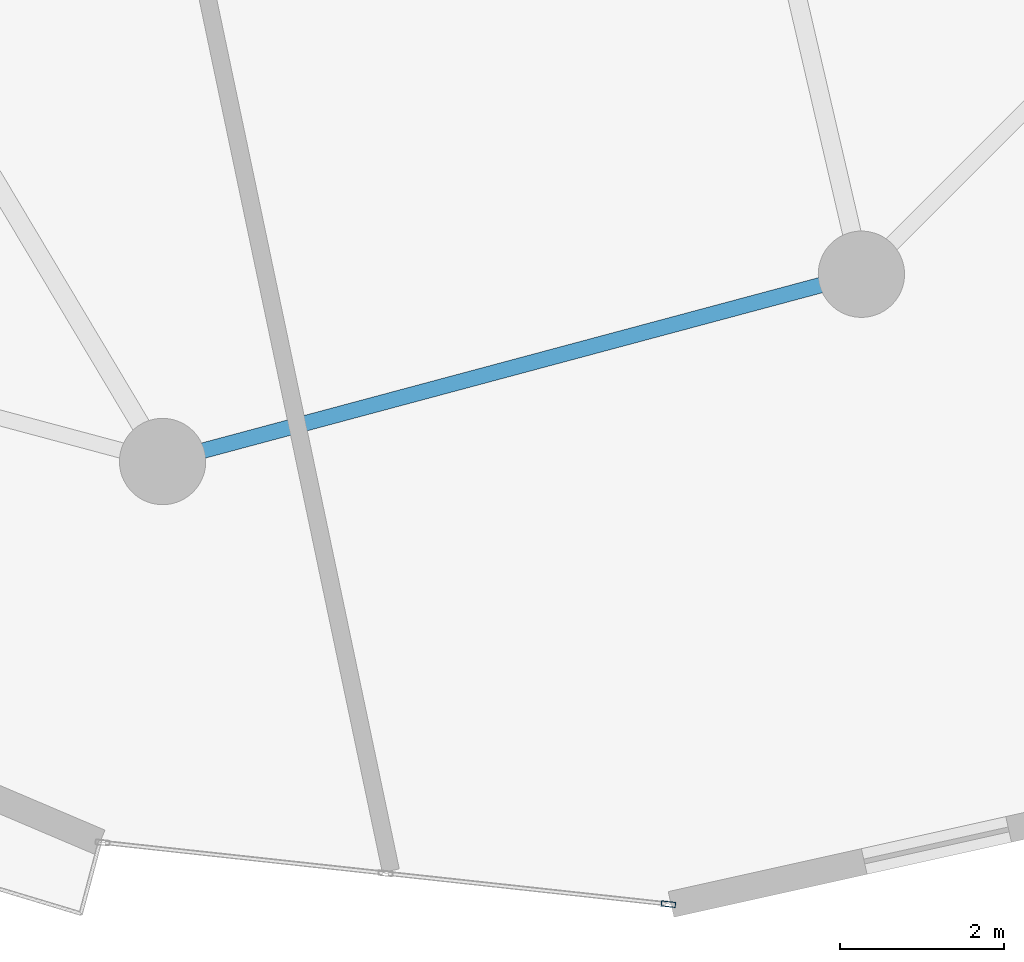
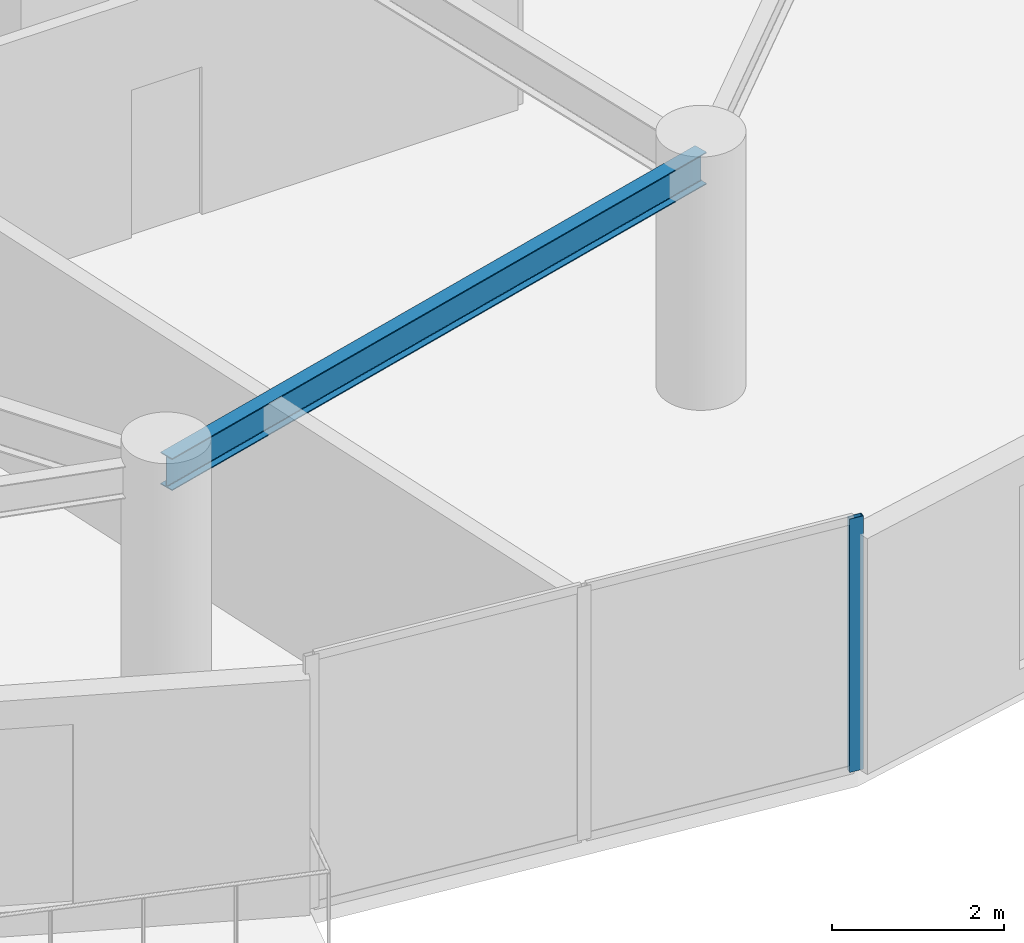
# One storey, part 3 of 22: 1 beam, 1 member, 1 element without a shape of its own.
"""IFC4 building model written with IfcOpenShell, lengths in metres."""

import ifcopenshell
import ifcopenshell.guid

model = None  # the IFC model being written
_history = None  # IfcOwnerHistory: only IFC2X3 demands one
_inside = {}  # id of a spatial element -> (the spatial element, [elements in it])
_under = {}  # id of a project, library or spatial element -> (it, [spatial elements below it])
_declared = {}  # id of a project -> (the project, [libraries it declares])
_typed = {}  # id of a type object -> (the type object, [elements of that type])
_made_of = {}  # id of a material, layer set ... -> (it, [elements and type objects made of it])


def new_model(schema):
    """Start an empty IFC model of exactly this schema.

    Asked for "IFC4X3", IfcOpenShell would pick the latest addendum, in which some entities
    have other attributes; the version numbers below select the first issue.
    IFC2X3 requires an IfcOwnerHistory on every rooted entity: one is made here for all.
    """
    global model, _history
    if schema == "IFC4X3":
        model = ifcopenshell.file(schema_version=(4, 3, 0, 0))
    else:
        model = ifcopenshell.file(schema=schema)
    _inside.clear()
    _under.clear()
    _declared.clear()
    _typed.clear()
    _made_of.clear()
    _history = None
    if model.schema == "IFC2X3":
        org = make("IfcOrganization", Name="unknown")
        user = make(
            "IfcPersonAndOrganization",
            ThePerson=make("IfcPerson", FamilyName="unknown"),
            TheOrganization=org,
        )
        app = make(
            "IfcApplication",
            ApplicationDeveloper=org,
            Version="unknown",
            ApplicationFullName="unknown",
            ApplicationIdentifier="unknown",
        )
        _history = make(
            "IfcOwnerHistory",
            OwningUser=user,
            OwningApplication=app,
            ChangeAction="ADDED",
            CreationDate=0,
        )
    return model


def make(cls, **values):
    """One entity of the class cls with the attributes given. An attribute that is None is left unset."""
    return model.create_entity(
        cls, **{name: value for name, value in values.items() if value is not None}
    )


def rooted(cls, **values):
    """An entity with a GlobalId (a new one), such as an element, a storey or a relation."""
    return make(cls, GlobalId=ifcopenshell.guid.new(), OwnerHistory=_history, **values)


def si_unit(unit_type, name, prefix=None):
    """IfcSIUnit, for example si_unit("LENGTHUNIT", "METRE", prefix="MILLI")."""
    return make("IfcSIUnit", UnitType=unit_type, Prefix=prefix, Name=name)


def assignment(units):
    """IfcUnitAssignment: the units of a project."""
    return None if units is None else make("IfcUnitAssignment", Units=units)


def point(xyz):
    """IfcCartesianPoint."""
    return None if xyz is None else make("IfcCartesianPoint", Coordinates=xyz)


def direction(xyz):
    """IfcDirection."""
    return None if xyz is None else make("IfcDirection", DirectionRatios=xyz)


def frame(location, z_axis=None, x_axis=None):
    """IfcAxis2Placement3D, a coordinate frame: its origin and axes. An axis left out is left unset."""
    return make(
        "IfcAxis2Placement3D",
        Location=point(location),
        Axis=direction(z_axis),
        RefDirection=direction(x_axis),
    )


def frame_2d(location, x_axis=None):
    """IfcAxis2Placement2D, a coordinate frame in the plane: its origin and x axis."""
    return make(
        "IfcAxis2Placement2D", Location=point(location), RefDirection=direction(x_axis)
    )


def origin():
    """The frame at (0, 0, 0) with its axes left unset."""
    return frame((0.0, 0.0, 0.0))


def origin_2d():
    """The frame at (0, 0) in the plane with its x axis left unset."""
    return frame_2d((0.0, 0.0))


def place(relative_to, where):
    """IfcLocalPlacement: puts the frame where relative to a parent placement (None: the world)."""
    return make(
        "IfcLocalPlacement", PlacementRelTo=relative_to, RelativePlacement=where
    )


def context(
    kind, dimensions, precision=None, world=None, true_north=None, identifier=None
):
    """IfcGeometricRepresentationContext, for example the 3D "Model" context."""
    return make(
        "IfcGeometricRepresentationContext",
        ContextIdentifier=identifier,
        ContextType=kind,
        CoordinateSpaceDimension=dimensions,
        Precision=precision,
        WorldCoordinateSystem=world,
        TrueNorth=true_north,
    )


def subcontext(parent, identifier, kind, view, scale=None):
    """IfcGeometricRepresentationSubContext, for example "Body" below "Model"."""
    return make(
        "IfcGeometricRepresentationSubContext",
        ContextIdentifier=identifier,
        ContextType=kind,
        ParentContext=parent,
        TargetScale=scale,
        TargetView=view,
    )


def project(units=None, contexts=None):
    """IfcProject with its units and contexts."""
    return rooted(
        "IfcProject",
        Name="project",
        RepresentationContexts=contexts,
        UnitsInContext=assignment(units),
    )


def spatial(cls, under=None, at=None, **own):
    """A site, building, storey or space (cls), placed at a placement, below another one or the project."""
    s = rooted(cls, ObjectPlacement=at, **own)
    if under is not None:
        _under.setdefault(under.id(), (under, []))[1].append(s)
    return s


def profile(cls, at=None, kind="AREA", **sizes):
    """A parametric profile (cls). Its sizes go by their IFC names, for example OverallWidth=200.0."""
    return make(cls, ProfileType=kind, Position=at, **sizes)


def hollow_rectangle(**sizes):
    """IfcRectangleHollowProfileDef."""
    return profile("IfcRectangleHollowProfileDef", **sizes)


def i_section(**sizes):
    """IfcIShapeProfileDef."""
    return profile("IfcIShapeProfileDef", **sizes)


def extrude(swept, where, along, depth):
    """IfcExtrudedAreaSolid: the profile swept, set in the frame where, extruded along a direction by depth."""
    return make(
        "IfcExtrudedAreaSolid",
        SweptArea=swept,
        Position=where,
        ExtrudedDirection=direction(along),
        Depth=depth,
    )


def shape(context_of_items, identifier, shape_type, items):
    """IfcShapeRepresentation: the items that make up one representation, for example the "Body"."""
    return make(
        "IfcShapeRepresentation",
        ContextOfItems=context_of_items,
        RepresentationIdentifier=identifier,
        RepresentationType=shape_type,
        Items=items,
    )


def source(mapping_origin, context_of_items, identifier, shape_type, items):
    """IfcRepresentationMap: a shape defined once, which mapped items show again and again."""
    return make(
        "IfcRepresentationMap",
        MappingOrigin=mapping_origin,
        MappedRepresentation=shape(context_of_items, identifier, shape_type, items),
    )


def transform(
    local_origin,
    x_axis=None,
    y_axis=None,
    z_axis=None,
    scale=None,
    scale2=None,
    scale3=None,
    uniform=True,
):
    """IfcCartesianTransformationOperator3D, or its non-uniform kind. x_axis, y_axis, z_axis: its Axis1, 2, 3."""
    if uniform:
        return make(
            "IfcCartesianTransformationOperator3D",
            Axis1=direction(x_axis),
            Axis2=direction(y_axis),
            LocalOrigin=point(local_origin),
            Scale=scale,
            Axis3=direction(z_axis),
        )
    return make(
        "IfcCartesianTransformationOperator3DnonUniform",
        Axis1=direction(x_axis),
        Axis2=direction(y_axis),
        LocalOrigin=point(local_origin),
        Scale=scale,
        Axis3=direction(z_axis),
        Scale2=scale2,
        Scale3=scale3,
    )


def mapped(mapping_source, mapping_target):
    """IfcMappedItem: shows the shape of a source again, moved by a transform."""
    return make(
        "IfcMappedItem", MappingSource=mapping_source, MappingTarget=mapping_target
    )


def material(Name=None, Category=None):
    """IfcMaterial."""
    return make("IfcMaterial", Name=Name, Category=Category)


def layer(
    of_material, thickness, ventilated=None, Name=None, Category=None, Priority=None
):
    """IfcMaterialLayer: one layer of a wall or slab, of a material (None: an air gap)."""
    return make(
        "IfcMaterialLayer",
        Material=of_material,
        LayerThickness=thickness,
        IsVentilated=ventilated,
        Name=Name,
        Category=Category,
        Priority=Priority,
    )


def layer_set(layers, Name=None):
    """IfcMaterialLayerSet."""
    return make("IfcMaterialLayerSet", MaterialLayers=layers, LayerSetName=Name)


def material_profile(
    of_material, cross_section, Name=None, Category=None, Priority=None
):
    """IfcMaterialProfile: a cross section and its material."""
    return make(
        "IfcMaterialProfile",
        Name=Name,
        Material=of_material,
        Profile=cross_section,
        Priority=Priority,
        Category=Category,
    )


def profile_set(profiles, Name=None, composite=None):
    """IfcMaterialProfileSet."""
    return make(
        "IfcMaterialProfileSet",
        Name=Name,
        MaterialProfiles=profiles,
        CompositeProfile=composite,
    )


def made_of(thing, what):
    """Note that an element or type object is made of a material, layer set ...; save() writes the relation."""
    if what is not None:
        _made_of.setdefault(what.id(), (what, []))[1].append(thing)
    return thing


def type_object(cls, material=None, **own):
    """A type object (cls), such as IfcWallType, which elements share."""
    return made_of(rooted(cls, **own), material)


def element(
    cls,
    number,
    at=None,
    inside=None,
    cuts=None,
    type_object=None,
    material=None,
    context=None,
    identifier="Body",
    shape_type=None,
    held_by="IfcProductDefinitionShape",
    body=None,
    shapes=None,
    **own,
):
    """One element of the class cls, such as IfcWall. Its Tag is "e" and its number.

    at: its placement. inside: the storey or other place that contains it. cuts: it is an
    opening in that element (IfcRelVoidsElement). A single representation is given by context,
    identifier, shape_type and body (its items); several are given by shapes. held_by: the class
    of the entity that holds the representations. save() writes the other relations.
    """
    e = rooted(cls, Tag="e%d" % number, ObjectPlacement=at, **own)
    if body is not None:
        shapes = [shape(context, identifier, shape_type, body)]
    if shapes is not None:
        e.Representation = make(held_by, Representations=shapes)
    if inside is not None:
        _inside.setdefault(inside.id(), (inside, []))[1].append(e)
    if cuts is not None:
        rooted(
            "IfcRelVoidsElement", RelatingBuildingElement=cuts, RelatedOpeningElement=e
        )
    if type_object is not None:
        _typed.setdefault(type_object.id(), (type_object, []))[1].append(e)
    return made_of(e, material)


def aggregate(whole, parts):
    """IfcRelAggregates: a whole, such as a stair, and the parts it consists of."""
    return rooted("IfcRelAggregates", RelatingObject=whole, RelatedObjects=parts)


def save(model, path):
    """Write the relations noted so far, then the file.

    IfcRelAggregates (storeys below a building ...), IfcRelContainedInSpatialStructure (elements
    in a storey), IfcRelDefinesByType, IfcRelAssociatesMaterial and IfcRelDeclares: one each for
    every whole, place, type object, material and project.
    """
    for whole, parts in _under.values():
        aggregate(whole, parts)
    for where, things in _inside.values():
        rooted(
            "IfcRelContainedInSpatialStructure",
            RelatedElements=things,
            RelatingStructure=where,
        )
    for kind, things in _typed.values():
        rooted("IfcRelDefinesByType", RelatedObjects=things, RelatingType=kind)
    for what, things in _made_of.values():
        rooted("IfcRelAssociatesMaterial", RelatedObjects=things, RelatingMaterial=what)
    for by, libraries in _declared.values():
        rooted("IfcRelDeclares", RelatingContext=by, RelatedDefinitions=libraries)
    model.write(path)


model = new_model("IFC4")

# Units and contexts
model_context = context("Model", 3, precision=1e-05, world=origin(), true_north=direction((0.0, 1.0)))
body_context = subcontext(model_context, "Body", "Model", "MODEL_VIEW")
ifc_project = project(units=[si_unit("LENGTHUNIT", "METRE"), si_unit("AREAUNIT", "SQUARE_METRE"), si_unit("VOLUMEUNIT", "CUBIC_METRE"), si_unit("PLANEANGLEUNIT", "RADIAN"), si_unit("MASSUNIT", "GRAM", prefix="KILO")], contexts=[model_context])

# Site, building, storey
site_placement = place(None, origin())
site = spatial("IfcSite", under=ifc_project, at=site_placement, CompositionType="ELEMENT")
building_placement = place(site_placement, origin())
building = spatial("IfcBuilding", under=site, at=building_placement, Name="Solvirekh Grand Hotel", CompositionType="ELEMENT")
storey_placement = place(building_placement, frame((0.0, 0.0, 149.39990234375)))
storey = spatial("IfcBuildingStorey", under=building, at=storey_placement, Name="L38", CompositionType="ELEMENT", Elevation=149.39990234375)

# Beam
ifc_material_1 = material(Name="Steel S355", Category="steel")
ifc_material_profile_1 = material_profile(ifc_material_1, i_section(OverallWidth=0.18994140625, OverallDepth=0.45703125, WebThickness=0.009033203125, FlangeThickness=0.013916015625, FilletRadius=0.012939453125, at=origin_2d()), Name="W460X74")
ifc_profile_set_1 = profile_set([ifc_material_profile_1], Name="Steel S355")
beam_type = type_object("IfcBeamType", Name="Spandrel_Ring_W460", PredefinedType="SPANDREL", material=ifc_profile_set_1)
beam_placement = place(storey_placement, frame((0.0, -17.0, 3.1220703125), z_axis=(0.965911391906, 0.258872908946, 0.0), x_axis=(-0.258872908946, 0.965911391906, 0.0)))
element("IfcBeam", 1, at=beam_placement, inside=storey, type_object=beam_type, Name="L38 perimeter spandrel beam 10", PredefinedType="SPANDREL", context=body_context, shape_type="SweptSolid", body=[
    extrude(i_section(OverallWidth=0.18994140625, OverallDepth=0.45703125, WebThickness=0.009033203125, FlangeThickness=0.013916015625, FilletRadius=0.012939453125, at=origin_2d()), origin(), (0.0, 0.0, 1.0), 8.800048828125),
])

# Curtain wall, member
ifc_material_2 = material(Name="Anodized Bronze Aluminium 6063-T6", Category="aluminium")
ifc_layer = layer(ifc_material_2, 0.175048828125)
ifc_layer_set = layer_set([ifc_layer], Name="Anodized Bronze Aluminium 6063-T6")
curtain_wall_type = type_object("IfcCurtainWallType", Name="CW_Sys3_MidZoneFlushBronzeCW", PredefinedType="NOTDEFINED", material=ifc_layer_set)
curtain_wall_placement = place(storey_placement, origin())
curtain_wall = element("IfcCurtainWall", 2, at=curtain_wall_placement, inside=storey, type_object=curtain_wall_type, Name="L38 unitised bronze-glass curtain wall CW-L38-C18", PredefinedType="NOTDEFINED")
ifc_material_profile_2 = material_profile(ifc_material_2, hollow_rectangle(XDim=0.06494140625, YDim=0.175048828125, WallThickness=0.0048828125, at=origin_2d()), Name="ALU RHS 175X65X5")
ifc_profile_set_2 = profile_set([ifc_material_profile_2], Name="Anodized Bronze Aluminium 6063-T6")
member_type = type_object("IfcMemberType", Name="CWMullion_Sys3", PredefinedType="MULLION", material=ifc_profile_set_2)
shared_shape = source(origin(), body_context, "Body", "SweptSolid", [
    extrude(hollow_rectangle(XDim=0.06494140625, YDim=0.175048828125, WallThickness=0.0048828125, at=origin_2d()), origin(), (0.0, 0.0, 1.0), 3.60009765625),
])
member_placement = place(storey_placement, frame((6.152587890625, -22.384521484375, 0.0), z_axis=(0.0, 0.0, 1.0), x_axis=(0.10831125401, 0.994117031468, 0.0)))
member = element("IfcMember", 3, at=member_placement, type_object=member_type, Name="U03 mullion 3", PredefinedType="MULLION", context=body_context, shape_type="MappedRepresentation", body=[
    mapped(shared_shape, transform((0.0, 0.0, 0.0), x_axis=(1.0, 0.0, 0.0), y_axis=(0.0, 1.0, 0.0), z_axis=(0.0, 0.0, 1.0), scale=1.0)),
])
aggregate(curtain_wall, [member])

save(model, "model.ifc")
